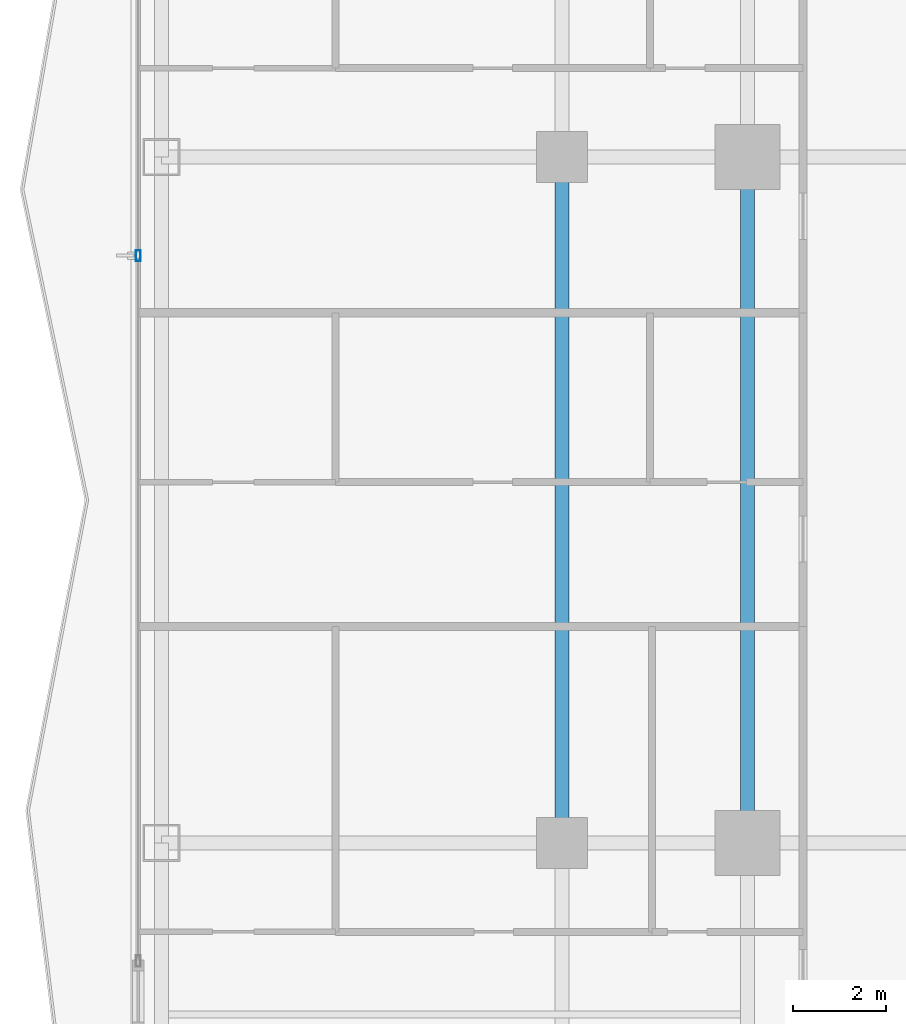
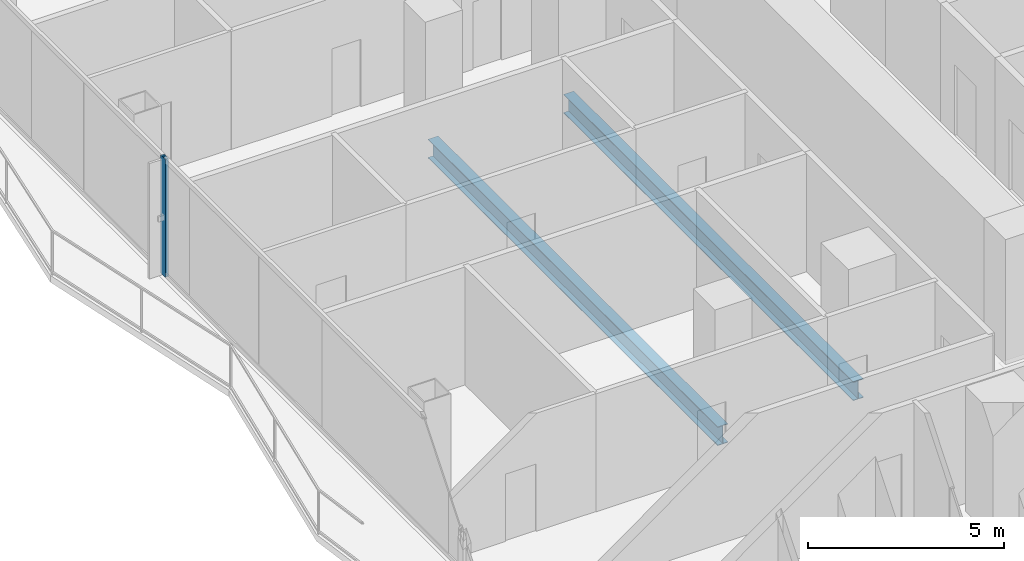
# One storey, part 6 of 30: 2 beams, 1 member, 1 element without a shape of its own.
"""IFC4 building model written with IfcOpenShell, lengths in metres."""

from ifc_helpers import new_model, si_unit, direction, frame, origin, origin_2d, place, context, subcontext, project, spatial, hollow_rectangle, i_section, extrude, material, layer, layer_set, material_profile, profile_set, type_object, element, aggregate, save


model = new_model("IFC4")

# Units and contexts
model_context = context("Model", 3, precision=1e-05, world=origin(), true_north=direction((0.0, 1.0)))
body_context = subcontext(model_context, "Body", "Model", "MODEL_VIEW")
ifc_project = project(units=[si_unit("LENGTHUNIT", "METRE"), si_unit("AREAUNIT", "SQUARE_METRE"), si_unit("VOLUMEUNIT", "CUBIC_METRE"), si_unit("PLANEANGLEUNIT", "RADIAN"), si_unit("MASSUNIT", "GRAM", prefix="KILO")], contexts=[model_context])

# Site, building, storey
site_placement = place(None, origin())
site = spatial("IfcSite", under=ifc_project, at=site_placement, CompositionType="ELEMENT")
building_placement = place(site_placement, origin())
building = spatial("IfcBuilding", under=site, at=building_placement, Name="Khorvyn Point Tower", CompositionType="ELEMENT")
storey_placement = place(building_placement, frame((0.0, 0.0, 57.89990234375)))
storey = spatial("IfcBuildingStorey", under=building, at=storey_placement, Name="L15", CompositionType="ELEMENT", Elevation=57.89990234375)

# Curtain wall, member
ifc_material_1 = material(Name="Anodised aluminium 6063-T6 and laminated Low-E glass", Category="aluminium")
ifc_layer = layer(ifc_material_1, 0.18994140625)
ifc_layer_set = layer_set([ifc_layer], Name="Stick-Built Finned Residential Curtain Wall CW-SYS-02")
curtain_wall_type = type_object("IfcCurtainWallType", Name="Stick-Built Finned Residential Curtain Wall CW-SYS-02", PredefinedType="NOTDEFINED", material=ifc_layer_set)
curtain_wall_placement = place(storey_placement, origin())
curtain_wall = element("IfcCurtainWall", 1, at=curtain_wall_placement, inside=storey, type_object=curtain_wall_type, Name="Curtain Wall", PredefinedType="NOTDEFINED")
ifc_material_2 = material(Name="Anodised aluminium 6063-T6", Category="aluminium")
ifc_material_profile_1 = material_profile(ifc_material_2, hollow_rectangle(XDim=0.10009765625, YDim=0.239990234375, WallThickness=0.0048828125, at=origin_2d()))
ifc_profile_set_1 = profile_set([ifc_material_profile_1], Name="Anodised aluminium 6063-T6 ALU-MUL-100x240")
member_type = type_object("IfcMemberType", Name="Anodised Aluminium 6063-T6 Mullion ALU-MUL-100x240", PredefinedType="MULLION", material=ifc_profile_set_1)
member_placement = place(storey_placement, frame((-27.949951171875, 5.27490234375, 0.0), z_axis=(0.0, 0.0, 1.0), x_axis=(-1.0, 0.0, 0.0)))
member = element("IfcMember", 2, at=member_placement, type_object=member_type, Name="Transom", PredefinedType="MULLION", context=body_context, shape_type="SweptSolid", body=[
    extrude(hollow_rectangle(XDim=0.10009765625, YDim=0.239990234375, WallThickness=0.0048828125, at=origin_2d()), origin(), (0.0, 0.0, 1.0), 3.68017578125),
])
aggregate(curtain_wall, [member])

# Beams
ifc_material_3 = material(Name="Steel S355", Category="steel")
ifc_material_profile_2 = material_profile(ifc_material_3, i_section(OverallWidth=0.300048828125, OverallDepth=0.587890625, WebThickness=0.011962890625, FlangeThickness=0.02001953125, at=origin_2d()))
ifc_profile_set_2 = profile_set([ifc_material_profile_2], Name="Steel S355 H588x300x12x20")
beam_type = type_object("IfcBeamType", Name="Steel S355 Beam H588x300x12x20", PredefinedType="BEAM", material=ifc_profile_set_2)
for number, where, z_axis, x_axis, name in (
    (3, (-14.800048828125, -7.39990234375, -0.513916015625), (0.0, 1.0, 0.0), (-1.0, 0.0, 0.0), "Beam"),
    (4, (-18.800048828125, -7.39990234375, -0.513916015625), (0.0, 1.0, 0.0), (-1.0, 0.0, 0.0), "Beam"),
):
    element("IfcBeam", number, at=place(storey_placement, frame(where, z_axis=z_axis, x_axis=x_axis)), inside=storey, type_object=beam_type, Name=name, PredefinedType="BEAM", context=body_context, shape_type="SweptSolid", body=[
        extrude(i_section(OverallWidth=0.300048828125, OverallDepth=0.587890625, WebThickness=0.011962890625, FlangeThickness=0.02001953125, at=origin_2d()), origin(), (0.0, 0.0, 1.0), 14.7998046875),
    ])

save(model, "model.ifc")
